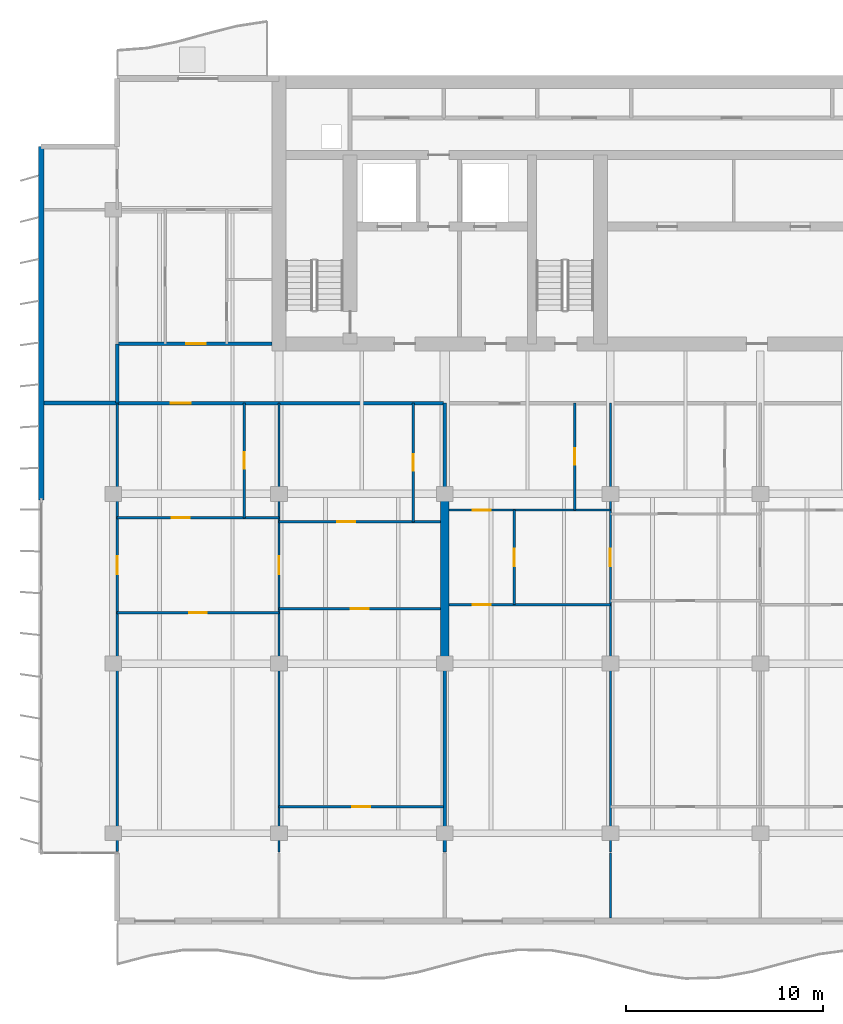
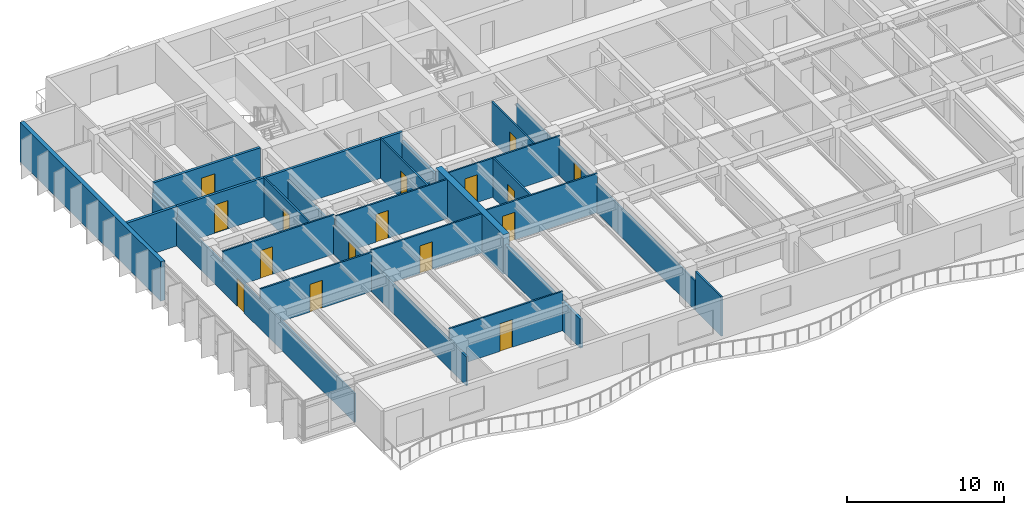
# One storey, part 8 of 17: 23 walls, 16 doors, 16 openings.
"""IFC4 building model written with IfcOpenShell, lengths in metres."""

from ifc_helpers import new_model, si_unit, direction, frame, frame_2d, origin, place, context, subcontext, project, spatial, rectangle, extrude, material, layer, layer_set, type_object, element, fill, save


model = new_model("IFC4")

# Units and contexts
model_context = context("Model", 3, precision=1e-05, world=origin(), true_north=direction((0.0, 1.0)))
body_context = subcontext(model_context, "Body", "Model", "MODEL_VIEW")
ifc_project = project(units=[si_unit("LENGTHUNIT", "METRE"), si_unit("AREAUNIT", "SQUARE_METRE"), si_unit("VOLUMEUNIT", "CUBIC_METRE"), si_unit("PLANEANGLEUNIT", "RADIAN"), si_unit("MASSUNIT", "GRAM", prefix="KILO")], contexts=[model_context])

# Site, building, storey
site_placement = place(None, origin())
site = spatial("IfcSite", under=ifc_project, at=site_placement, CompositionType="ELEMENT")
building_placement = place(site_placement, origin())
building = spatial("IfcBuilding", under=site, at=building_placement, Name="Caelmar Bay Residences", CompositionType="ELEMENT")
storey_placement = place(building_placement, frame((0.0, 0.0, 208.199951171875)))
storey = spatial("IfcBuildingStorey", under=building, at=storey_placement, Name="L58", CompositionType="ELEMENT", Elevation=208.199951171875)

# Walls
ifc_material_1 = material(Name="Concrete f'c 55 MPa (8,000 psi)", Category="concrete")
ifc_layer_1 = layer(ifc_material_1, 0.449951171875)
ifc_layer_set_1 = layer_set([ifc_layer_1], Name="Concrete f'c 55 MPa (8,000 psi)")
wall_type_1 = type_object("IfcWallType", Name="SW-XSLB-450", PredefinedType="SHEAR", material=ifc_layer_set_1)
wall_1_placement = place(storey_placement, frame((26.699951171875, 20.800048828125, 0.0), z_axis=(0.0, 0.0, 1.0), x_axis=(0.0, 1.0, 0.0)))
element("IfcWall", 1, at=wall_1_placement, inside=storey, type_object=wall_type_1, Name="L58 Transverse Cross-Slab Shear Wall W5", PredefinedType="SHEAR", context=body_context, shape_type="SweptSolid", body=[
    extrude(rectangle(XDim=8.599853515625, YDim=0.449951171875, at=frame_2d((4.2998046875, 0.0))), origin(), (0.0, 0.0, 1.0), 3.050048828125),
])
ifc_material_2 = material(Name="Double-stud acoustic fire-rated gypsum partition 180 mm")
ifc_layer_2 = layer(ifc_material_2, 0.179931640625)
ifc_layer_set_2 = layer_set([ifc_layer_2], Name="Double-stud acoustic fire-rated gypsum partition 180 mm")
wall_type_2 = type_object("IfcWallType", Name="W-COR-200", PredefinedType="PARTITIONING", material=ifc_layer_set_2)
wall_2_placement = place(storey_placement, frame((10.10009765625, 34.0048828125, 0.0), z_axis=(0.0, 0.0, 1.0), x_axis=(0.0, 1.0, 0.0)))
element("IfcWall", 2, at=wall_2_placement, inside=storey, type_object=wall_type_2, Name="L58 Partition Wall V002", PredefinedType="PARTITIONING", context=body_context, shape_type="SweptSolid", body=[
    extrude(rectangle(XDim=2.9951171875, YDim=0.179931640625, at=frame_2d((1.49755859375, 0.0))), origin(), (0.0, 0.0, 1.0), 2.262939453125),
])

# Wall, opening, door
wall_3_placement = place(storey_placement, frame((10.10498046875, 34.0, 0.0), z_axis=(0.0, 0.0, 1.0), x_axis=(1.0, 0.0, 0.0)))
wall_3 = element("IfcWall", 3, at=wall_3_placement, inside=storey, type_object=wall_type_2, Name="L58 Partition Wall H069", PredefinedType="PARTITIONING", context=body_context, shape_type="SweptSolid", body=[
    extrude(rectangle(XDim=16.544921875, YDim=0.179931640625, at=frame_2d((8.2724609375, 0.0))), origin(), (0.0, 0.0, 1.0), 3.050048828125),
])
opening_1_placement = place(wall_3_placement, frame((2.71240234375, 0.0, 0.0)))
opening_1 = element("IfcOpeningElement", 4, at=opening_1_placement, cuts=wall_3, Name="Opening D-L58-124", PredefinedType="OPENING", context=body_context, shape_type="SweptSolid", body=[
    extrude(rectangle(XDim=1.0, YDim=2.199951171875, at=frame_2d((0.5, 1.10009765625))), frame((0.0, 0.099853515625, 0.0), z_axis=(0.0, -1.0, 0.0), x_axis=(1.0, 0.0, 0.0)), (0.0, 0.0, 1.0), 0.199951171875),
])
ifc_material_3 = material(Name="Fire-rated steel and walnut architectural door assembly", Category="steel")
ifc_layer_3 = layer(ifc_material_3, 0.050048828125)
ifc_layer_set_3 = layer_set([ifc_layer_3], Name="Fire-rated steel and walnut architectural door assembly")
door_type_1 = type_object("IfcDoorType", Name="D-UNIT-1000", OperationType="NOTDEFINED", PredefinedType="DOOR", material=ifc_layer_set_3)
door_1_placement = place(opening_1_placement, origin())
door_1 = element("IfcDoor", 5, at=door_1_placement, inside=storey, type_object=door_type_1, Name="L58 Residence 01 Apartment Hall Door", OperationType="SINGLE_SWING_LEFT", OverallHeight=2.199951171875, OverallWidth=1.0, PredefinedType="DOOR", context=body_context, shape_type="SweptSolid", body=[
    extrude(rectangle(XDim=1.0, YDim=2.199951171875, at=frame_2d((0.5, 1.10009765625))), frame((0.0, 0.02490234375, 0.0), z_axis=(0.0, -1.0, 0.0), x_axis=(1.0, 0.0, 0.0)), (0.0, 0.0, 1.0), 0.050048828125),
])
fill(opening_1, door_1)

wall_4_placement = place(storey_placement, frame((10.10009765625, 37.0, 0.0), z_axis=(0.0, 0.0, 1.0), x_axis=(1.0, 0.0, 0.0)))
wall_4 = element("IfcWall", 6, at=wall_4_placement, inside=storey, type_object=wall_type_2, Name="L58 Partition Wall H072", PredefinedType="PARTITIONING", context=body_context, shape_type="SweptSolid", body=[
    extrude(rectangle(XDim=7.844970703125, YDim=0.179931640625, at=frame_2d((3.92236328125, 0.0))), origin(), (0.0, 0.0, 1.0), 3.050048828125),
])
opening_2_placement = place(wall_4_placement, frame((3.49609375, 0.0, 0.0)))
opening_2 = element("IfcOpeningElement", 7, at=opening_2_placement, cuts=wall_4, Name="Opening D-L58-161", PredefinedType="OPENING", context=body_context, shape_type="SweptSolid", body=[
    extrude(rectangle(XDim=1.0, YDim=2.199951171875, at=frame_2d((0.5, 1.10009765625))), frame((0.0, 0.099853515625, 0.0), z_axis=(0.0, -1.0, 0.0), x_axis=(1.0, 0.0, 0.0)), (0.0, 0.0, 1.0), 0.199951171875),
])
door_2_placement = place(opening_2_placement, origin())
door_2 = element("IfcDoor", 8, at=door_2_placement, inside=storey, type_object=door_type_1, Name="L58 Residence WA Kitchen Door", OperationType="SINGLE_SWING_RIGHT", OverallHeight=2.199951171875, OverallWidth=1.0, PredefinedType="DOOR", context=body_context, shape_type="SweptSolid", body=[
    extrude(rectangle(XDim=1.0, YDim=2.199951171875, at=frame_2d((0.5, 1.10009765625))), frame((0.0, 0.02490234375, 0.0), z_axis=(0.0, -1.0, 0.0), x_axis=(1.0, 0.0, 0.0)), (0.0, 0.0, 1.0), 0.050048828125),
])
fill(opening_2, door_2)

# Wall
ifc_material_4 = material(Name="Precast concrete f'c 40 MPa (6,000 psi)", Category="concrete")
ifc_layer_4 = layer(ifc_material_4, 0.300048828125)
ifc_layer_set_4 = layer_set([ifc_layer_4], Name="Precast concrete f'c 40 MPa (6,000 psi)")
wall_type_3 = type_object("IfcWallType", Name="W-EXT-300", PredefinedType="STANDARD", material=ifc_layer_set_4)
wall_5_placement = place(storey_placement, frame((6.25, 29.10009765625, 0.0), z_axis=(0.0, 0.0, 1.0), x_axis=(0.0, 1.0, 0.0)))
element("IfcWall", 9, at=wall_5_placement, inside=storey, type_object=wall_type_3, Name="L58 West Rear Exterior Wall", PredefinedType="STANDARD", context=body_context, shape_type="SweptSolid", body=[
    extrude(rectangle(XDim=17.89990234375, YDim=0.300048828125, at=frame_2d((8.949951171875, 0.0))), origin(), (0.0, 0.0, 1.0), 3.050048828125),
])

# Wall, opening, door
ifc_material_5 = material(Name="Acoustic metal-stud gypsum partition 120 mm")
ifc_layer_5 = layer(ifc_material_5, 0.1201171875)
ifc_layer_set_5 = layer_set([ifc_layer_5], Name="Acoustic metal-stud gypsum partition 120 mm")
wall_type_4 = type_object("IfcWallType", Name="W-PRT-120", PredefinedType="PARTITIONING", material=ifc_layer_set_5)
wall_6_placement = place(storey_placement, frame((10.10009765625, 11.284912109375, 0.0), z_axis=(0.0, 0.0, 1.0), x_axis=(0.0, 1.0, 0.0)))
wall_6 = element("IfcWall", 10, at=wall_6_placement, inside=storey, type_object=wall_type_4, Name="L58 Partition Wall V001", PredefinedType="PARTITIONING", context=body_context, shape_type="SweptSolid", body=[
    extrude(rectangle(XDim=22.715087890625, YDim=0.1201171875, at=frame_2d((11.357421875, 0.0))), origin(), (0.0, 0.0, 1.0), 2.262939453125),
])
opening_3_placement = place(wall_6_placement, frame((14.044921875, 0.0, 0.0)))
opening_3 = element("IfcOpeningElement", 11, at=opening_3_placement, cuts=wall_6, Name="Opening D-L58-158", PredefinedType="OPENING", context=body_context, shape_type="SweptSolid", body=[
    extrude(rectangle(XDim=0.89990234375, YDim=2.14990234375, at=frame_2d((0.449951171875, 1.074951171875))), frame((0.0, 0.070068359375, 0.0), z_axis=(0.0, -1.0, 0.0), x_axis=(1.0, 0.0, 0.0)), (0.0, 0.0, 1.0), 0.14013671875),
])
ifc_material_6 = material(Name="Solid walnut timber interior door leaf and frame", Category="wood")
ifc_layer_6 = layer(ifc_material_6, 0.050048828125)
ifc_layer_set_6 = layer_set([ifc_layer_6], Name="Solid walnut timber interior door leaf and frame")
door_type_2 = type_object("IfcDoorType", Name="D-ROOM-900", OperationType="NOTDEFINED", PredefinedType="DOOR", material=ifc_layer_set_6)
door_3_placement = place(opening_3_placement, origin())
door_3 = element("IfcDoor", 12, at=door_3_placement, inside=storey, type_object=door_type_2, Name="L58 Residence 01 Penthouse West Salon Door", OperationType="SINGLE_SWING_LEFT", OverallHeight=2.14990234375, OverallWidth=0.89990234375, PredefinedType="DOOR", context=body_context, shape_type="SweptSolid", body=[
    extrude(rectangle(XDim=0.89990234375, YDim=2.14990234375, at=frame_2d((0.449951171875, 1.074951171875))), frame((0.0, 0.02490234375, 0.0), z_axis=(0.0, -1.0, 0.0), x_axis=(1.0, 0.0, 0.0)), (0.0, 0.0, 1.0), 0.050048828125),
])
fill(opening_3, door_3)

wall_7_placement = place(storey_placement, frame((16.530029296875, 28.179931640625, 0.0), z_axis=(0.0, 0.0, 1.0), x_axis=(0.0, 1.0, 0.0)))
wall_7 = element("IfcWall", 13, at=wall_7_placement, inside=storey, type_object=wall_type_4, Name="L58 Partition Wall V007", PredefinedType="PARTITIONING", context=body_context, shape_type="SweptSolid", body=[
    extrude(rectangle(XDim=5.820068359375, YDim=0.1201171875, at=frame_2d((2.91015625, 0.0))), origin(), (0.0, 0.0, 1.0), 3.050048828125),
])
opening_4_placement = place(wall_7_placement, frame((2.485107421875, 0.0, 0.0)))
opening_4 = element("IfcOpeningElement", 14, at=opening_4_placement, cuts=wall_7, Name="Opening D-L58-125", PredefinedType="OPENING", context=body_context, shape_type="SweptSolid", body=[
    extrude(rectangle(XDim=0.85009765625, YDim=2.10009765625, at=frame_2d((0.425048828125, 1.050048828125))), frame((0.0, 0.070068359375, 0.0), z_axis=(0.0, -1.0, 0.0), x_axis=(1.0, 0.0, 0.0)), (0.0, 0.0, 1.0), 0.14013671875),
])
ifc_layer_7 = layer(ifc_material_6, 0.050048828125)
ifc_layer_set_7 = layer_set([ifc_layer_7], Name="Solid walnut timber interior door leaf and frame")
door_type_3 = type_object("IfcDoorType", Name="D-BATH-850", OperationType="NOTDEFINED", PredefinedType="DOOR", material=ifc_layer_set_7)
door_4_placement = place(opening_4_placement, origin())
door_4 = element("IfcDoor", 15, at=door_4_placement, inside=storey, type_object=door_type_3, Name="L58 Residence 01 Guest Bathroom Door", OperationType="SINGLE_SWING_RIGHT", OverallHeight=2.10009765625, OverallWidth=0.85009765625, PredefinedType="DOOR", context=body_context, shape_type="SweptSolid", body=[
    extrude(rectangle(XDim=0.85009765625, YDim=2.10009765625, at=frame_2d((0.425048828125, 1.050048828125))), frame((0.0, 0.02490234375, 0.0), z_axis=(0.0, -1.0, 0.0), x_axis=(1.0, 0.0, 0.0)), (0.0, 0.0, 1.0), 0.050048828125),
])
fill(opening_4, door_4)

wall_8_placement = place(storey_placement, frame((18.300048828125, 11.239990234375, 0.0), z_axis=(0.0, 0.0, 1.0), x_axis=(0.0, 1.0, 0.0)))
wall_8 = element("IfcWall", 16, at=wall_8_placement, inside=storey, type_object=wall_type_4, Name="L58 Partition Wall V009", PredefinedType="PARTITIONING", context=body_context, shape_type="SweptSolid", body=[
    extrude(rectangle(XDim=22.760009765625, YDim=0.1201171875, at=frame_2d((11.3798828125, 0.0))), origin(), (0.0, 0.0, 1.0), 2.262939453125),
])
opening_5_placement = place(wall_8_placement, frame((14.090087890625, 0.0, 0.0)))
opening_5 = element("IfcOpeningElement", 17, at=opening_5_placement, cuts=wall_8, Name="Opening D-L58-128", PredefinedType="OPENING", context=body_context, shape_type="SweptSolid", body=[
    extrude(rectangle(XDim=0.89990234375, YDim=2.14990234375, at=frame_2d((0.449951171875, 1.074951171875))), frame((0.0, 0.070068359375, 0.0), z_axis=(0.0, -1.0, 0.0), x_axis=(1.0, 0.0, 0.0)), (0.0, 0.0, 1.0), 0.14013671875),
])
door_5_placement = place(opening_5_placement, origin())
door_5 = element("IfcDoor", 18, at=door_5_placement, inside=storey, type_object=door_type_2, Name="L58 Residence 01 Reception Lounge 1 Door", OperationType="SINGLE_SWING_LEFT", OverallHeight=2.14990234375, OverallWidth=0.89990234375, PredefinedType="DOOR", context=body_context, shape_type="SweptSolid", body=[
    extrude(rectangle(XDim=0.89990234375, YDim=2.14990234375, at=frame_2d((0.449951171875, 1.074951171875))), frame((0.0, 0.02490234375, 0.0), z_axis=(0.0, -1.0, 0.0), x_axis=(1.0, 0.0, 0.0)), (0.0, 0.0, 1.0), 0.050048828125),
])
fill(opening_5, door_5)

wall_9_placement = place(storey_placement, frame((25.10498046875, 27.97998046875, 0.0), z_axis=(0.0, 0.0, 1.0), x_axis=(0.0, 1.0, 0.0)))
wall_9 = element("IfcWall", 19, at=wall_9_placement, inside=storey, type_object=wall_type_4, Name="L58 Partition Wall V011", PredefinedType="PARTITIONING", context=body_context, shape_type="SweptSolid", body=[
    extrude(rectangle(XDim=6.02001953125, YDim=0.1201171875, at=frame_2d((3.010009765625, 0.0))), origin(), (0.0, 0.0, 1.0), 3.050048828125),
])
opening_6_placement = place(wall_9_placement, frame((2.5849609375, 0.0, 0.0)))
opening_6 = element("IfcOpeningElement", 20, at=opening_6_placement, cuts=wall_9, Name="Opening D-L58-130", PredefinedType="OPENING", context=body_context, shape_type="SweptSolid", body=[
    extrude(rectangle(XDim=0.85009765625, YDim=2.10009765625, at=frame_2d((0.425048828125, 1.050048828125))), frame((0.0, 0.070068359375, 0.0), z_axis=(0.0, -1.0, 0.0), x_axis=(1.0, 0.0, 0.0)), (0.0, 0.0, 1.0), 0.14013671875),
])
door_6_placement = place(opening_6_placement, origin())
door_6 = element("IfcDoor", 21, at=door_6_placement, inside=storey, type_object=door_type_3, Name="L58 Residence 01 En-Suite Bathroom 1 Door", OperationType="SINGLE_SWING_LEFT", OverallHeight=2.10009765625, OverallWidth=0.85009765625, PredefinedType="DOOR", context=body_context, shape_type="SweptSolid", body=[
    extrude(rectangle(XDim=0.85009765625, YDim=2.10009765625, at=frame_2d((0.425048828125, 1.050048828125))), frame((0.0, 0.02490234375, 0.0), z_axis=(0.0, -1.0, 0.0), x_axis=(1.0, 0.0, 0.0)), (0.0, 0.0, 1.0), 0.050048828125),
])
fill(opening_6, door_6)

wall_10_placement = place(storey_placement, frame((30.22802734375, 23.780029296875, 0.0), z_axis=(0.0, 0.0, 1.0), x_axis=(0.0, 1.0, 0.0)))
wall_10 = element("IfcWall", 22, at=wall_10_placement, inside=storey, type_object=wall_type_4, Name="L58 Partition Wall V019", PredefinedType="PARTITIONING", context=body_context, shape_type="SweptSolid", body=[
    extrude(rectangle(XDim=4.800048828125, YDim=0.1201171875, at=frame_2d((2.39990234375, 0.0))), origin(), (0.0, 0.0, 1.0), 3.050048828125),
])
opening_7_placement = place(wall_10_placement, frame((1.949951171875, 0.0, 0.0)))
opening_7 = element("IfcOpeningElement", 23, at=opening_7_placement, cuts=wall_10, Name="Opening D-L58-136", PredefinedType="OPENING", context=body_context, shape_type="SweptSolid", body=[
    extrude(rectangle(XDim=0.89990234375, YDim=2.14990234375, at=frame_2d((0.449951171875, 1.074951171875))), frame((0.0, 0.070068359375, 0.0), z_axis=(0.0, -1.0, 0.0), x_axis=(1.0, 0.0, 0.0)), (0.0, 0.0, 1.0), 0.14013671875),
])
door_7_placement = place(opening_7_placement, origin())
door_7 = element("IfcDoor", 24, at=door_7_placement, inside=storey, type_object=door_type_2, Name="L58 Residence 02 Kitchen Door", OperationType="SINGLE_SWING_LEFT", OverallHeight=2.14990234375, OverallWidth=0.89990234375, PredefinedType="DOOR", context=body_context, shape_type="SweptSolid", body=[
    extrude(rectangle(XDim=0.89990234375, YDim=2.14990234375, at=frame_2d((0.449951171875, 1.074951171875))), frame((0.0, 0.02490234375, 0.0), z_axis=(0.0, -1.0, 0.0), x_axis=(1.0, 0.0, 0.0)), (0.0, 0.0, 1.0), 0.050048828125),
])
fill(opening_7, door_7)

wall_11_placement = place(storey_placement, frame((33.2919921875, 28.580078125, 0.0), z_axis=(0.0, 0.0, 1.0), x_axis=(0.0, 1.0, 0.0)))
wall_11 = element("IfcWall", 25, at=wall_11_placement, inside=storey, type_object=wall_type_4, Name="L58 Partition Wall V021", PredefinedType="PARTITIONING", context=body_context, shape_type="SweptSolid", body=[
    extrude(rectangle(XDim=5.419921875, YDim=0.1201171875, at=frame_2d((2.7099609375, 0.0))), origin(), (0.0, 0.0, 1.0), 3.050048828125),
])
opening_8_placement = place(wall_11_placement, frame((2.284912109375, 0.0, 0.0)))
opening_8 = element("IfcOpeningElement", 26, at=opening_8_placement, cuts=wall_11, Name="Opening D-L58-134", PredefinedType="OPENING", context=body_context, shape_type="SweptSolid", body=[
    extrude(rectangle(XDim=0.85009765625, YDim=2.10009765625, at=frame_2d((0.425048828125, 1.050048828125))), frame((0.0, 0.070068359375, 0.0), z_axis=(0.0, -1.0, 0.0), x_axis=(1.0, 0.0, 0.0)), (0.0, 0.0, 1.0), 0.14013671875),
])
door_8_placement = place(opening_8_placement, origin())
door_8 = element("IfcDoor", 27, at=door_8_placement, inside=storey, type_object=door_type_3, Name="L58 Residence 02 Guest Bathroom Door", OperationType="SINGLE_SWING_LEFT", OverallHeight=2.10009765625, OverallWidth=0.85009765625, PredefinedType="DOOR", context=body_context, shape_type="SweptSolid", body=[
    extrude(rectangle(XDim=0.85009765625, YDim=2.10009765625, at=frame_2d((0.425048828125, 1.050048828125))), frame((0.0, 0.02490234375, 0.0), z_axis=(0.0, -1.0, 0.0), x_axis=(1.0, 0.0, 0.0)), (0.0, 0.0, 1.0), 0.050048828125),
])
fill(opening_8, door_8)

# Wall
wall_12_placement = place(storey_placement, frame((35.10009765625, 7.89501953125, 0.0), z_axis=(0.0, 0.0, 1.0), x_axis=(0.0, 1.0, 0.0)))
element("IfcWall", 28, at=wall_12_placement, inside=storey, type_object=wall_type_4, Name="L58 Partition Wall V022", PredefinedType="PARTITIONING", context=body_context, shape_type="SweptSolid", body=[
    extrude(rectangle(XDim=3.304931640625, YDim=0.1201171875, at=frame_2d((1.65234375, 0.0))), origin(), (0.0, 0.0, 1.0), 3.050048828125),
])

# Wall, opening, door
wall_13_placement = place(storey_placement, frame((35.10009765625, 11.239990234375, 0.0), z_axis=(0.0, 0.0, 1.0), x_axis=(0.0, 1.0, 0.0)))
wall_13 = element("IfcWall", 29, at=wall_13_placement, inside=storey, type_object=wall_type_4, Name="L58 Partition Wall V023", PredefinedType="PARTITIONING", context=body_context, shape_type="SweptSolid", body=[
    extrude(rectangle(XDim=22.760009765625, YDim=0.1201171875, at=frame_2d((11.3798828125, 0.0))), origin(), (0.0, 0.0, 1.0), 2.262939453125),
])
opening_9_placement = place(wall_13_placement, frame((14.489990234375, 0.0, 0.0)))
opening_9 = element("IfcOpeningElement", 30, at=opening_9_placement, cuts=wall_13, Name="Opening D-L58-138", PredefinedType="OPENING", context=body_context, shape_type="SweptSolid", body=[
    extrude(rectangle(XDim=0.89990234375, YDim=2.14990234375, at=frame_2d((0.449951171875, 1.074951171875))), frame((0.0, 0.070068359375, 0.0), z_axis=(0.0, -1.0, 0.0), x_axis=(1.0, 0.0, 0.0)), (0.0, 0.0, 1.0), 0.14013671875),
])
door_9_placement = place(opening_9_placement, origin())
door_9 = element("IfcDoor", 31, at=door_9_placement, inside=storey, type_object=door_type_2, Name="L58 Residence 02 Reception Lounge 1 Door", OperationType="SINGLE_SWING_LEFT", OverallHeight=2.14990234375, OverallWidth=0.89990234375, PredefinedType="DOOR", context=body_context, shape_type="SweptSolid", body=[
    extrude(rectangle(XDim=0.89990234375, YDim=2.14990234375, at=frame_2d((0.449951171875, 1.074951171875))), frame((0.0, 0.02490234375, 0.0), z_axis=(0.0, -1.0, 0.0), x_axis=(1.0, 0.0, 0.0)), (0.0, 0.0, 1.0), 0.050048828125),
])
fill(opening_9, door_9)

wall_14_placement = place(storey_placement, frame((18.300048828125, 13.550048828125, 0.0), z_axis=(0.0, 0.0, 1.0), x_axis=(1.0, 0.0, 0.0)))
wall_14 = element("IfcWall", 32, at=wall_14_placement, inside=storey, type_object=wall_type_4, Name="L58 Partition Wall H051", PredefinedType="PARTITIONING", context=body_context, shape_type="SweptSolid", body=[
    extrude(rectangle(XDim=8.349853515625, YDim=0.1201171875, at=frame_2d((4.1748046875, 0.0))), origin(), (0.0, 0.0, 1.0), 3.050048828125),
])
opening_10_placement = place(wall_14_placement, frame((3.72509765625, 0.0, 0.0)))
opening_10 = element("IfcOpeningElement", 33, at=opening_10_placement, cuts=wall_14, Name="Opening D-L58-132", PredefinedType="OPENING", context=body_context, shape_type="SweptSolid", body=[
    extrude(rectangle(XDim=0.89990234375, YDim=2.14990234375, at=frame_2d((0.449951171875, 1.074951171875))), frame((0.0, 0.070068359375, 0.0), z_axis=(0.0, -1.0, 0.0), x_axis=(1.0, 0.0, 0.0)), (0.0, 0.0, 1.0), 0.14013671875),
])
door_10_placement = place(opening_10_placement, origin())
door_10 = element("IfcDoor", 34, at=door_10_placement, inside=storey, type_object=door_type_2, Name="L58 Residence 01 Primary Bedroom 1 Door", OperationType="SINGLE_SWING_LEFT", OverallHeight=2.14990234375, OverallWidth=0.89990234375, PredefinedType="DOOR", context=body_context, shape_type="SweptSolid", body=[
    extrude(rectangle(XDim=0.89990234375, YDim=2.14990234375, at=frame_2d((0.449951171875, 1.074951171875))), frame((0.0, 0.02490234375, 0.0), z_axis=(0.0, -1.0, 0.0), x_axis=(1.0, 0.0, 0.0)), (0.0, 0.0, 1.0), 0.050048828125),
])
fill(opening_10, door_10)

wall_15_placement = place(storey_placement, frame((10.10009765625, 23.3798828125, 0.0), z_axis=(0.0, 0.0, 1.0), x_axis=(1.0, 0.0, 0.0)))
wall_15 = element("IfcWall", 35, at=wall_15_placement, inside=storey, type_object=wall_type_4, Name="L58 Partition Wall H054", PredefinedType="PARTITIONING", context=body_context, shape_type="SweptSolid", body=[
    extrude(rectangle(XDim=8.199951171875, YDim=0.1201171875, at=frame_2d((4.10009765625, 0.0))), origin(), (0.0, 0.0, 1.0), 3.050048828125),
])
opening_11_placement = place(wall_15_placement, frame((3.64990234375, 0.0, 0.0)))
opening_11 = element("IfcOpeningElement", 36, at=opening_11_placement, cuts=wall_15, Name="Opening D-L58-127", PredefinedType="OPENING", context=body_context, shape_type="SweptSolid", body=[
    extrude(rectangle(XDim=0.89990234375, YDim=2.14990234375, at=frame_2d((0.449951171875, 1.074951171875))), frame((0.0, 0.070068359375, 0.0), z_axis=(0.0, -1.0, 0.0), x_axis=(1.0, 0.0, 0.0)), (0.0, 0.0, 1.0), 0.14013671875),
])
door_11_placement = place(opening_11_placement, origin())
door_11 = element("IfcDoor", 37, at=door_11_placement, inside=storey, type_object=door_type_2, Name="L58 Residence 01 Penthouse Living Salon Door", OperationType="SINGLE_SWING_RIGHT", OverallHeight=2.14990234375, OverallWidth=0.89990234375, PredefinedType="DOOR", context=body_context, shape_type="SweptSolid", body=[
    extrude(rectangle(XDim=0.89990234375, YDim=2.14990234375, at=frame_2d((0.449951171875, 1.074951171875))), frame((0.0, 0.02490234375, 0.0), z_axis=(0.0, -1.0, 0.0), x_axis=(1.0, 0.0, 0.0)), (0.0, 0.0, 1.0), 0.050048828125),
])
fill(opening_11, door_11)

wall_16_placement = place(storey_placement, frame((18.304931640625, 23.580078125, 0.0), z_axis=(0.0, 0.0, 1.0), x_axis=(1.0, 0.0, 0.0)))
wall_16 = element("IfcWall", 38, at=wall_16_placement, inside=storey, type_object=wall_type_4, Name="L58 Partition Wall H056", PredefinedType="PARTITIONING", context=body_context, shape_type="SweptSolid", body=[
    extrude(rectangle(XDim=8.175048828125, YDim=0.1201171875, at=frame_2d((4.08740234375, 0.0))), origin(), (0.0, 0.0, 1.0), 3.050048828125),
])
opening_12_placement = place(wall_16_placement, frame((3.637451171875, 0.0, 0.0)))
opening_12 = element("IfcOpeningElement", 39, at=opening_12_placement, cuts=wall_16, Name="Opening D-L58-131", PredefinedType="OPENING", context=body_context, shape_type="SweptSolid", body=[
    extrude(rectangle(XDim=0.89990234375, YDim=2.14990234375, at=frame_2d((0.449951171875, 1.074951171875))), frame((0.0, 0.070068359375, 0.0), z_axis=(0.0, -1.0, 0.0), x_axis=(1.0, 0.0, 0.0)), (0.0, 0.0, 1.0), 0.14013671875),
])
door_12_placement = place(opening_12_placement, origin())
door_12 = element("IfcDoor", 40, at=door_12_placement, inside=storey, type_object=door_type_2, Name="L58 Residence 01 Penthouse Sitting Salon 1 Door", OperationType="SINGLE_SWING_RIGHT", OverallHeight=2.14990234375, OverallWidth=0.89990234375, PredefinedType="DOOR", context=body_context, shape_type="SweptSolid", body=[
    extrude(rectangle(XDim=0.89990234375, YDim=2.14990234375, at=frame_2d((0.449951171875, 1.074951171875))), frame((0.0, 0.02490234375, 0.0), z_axis=(0.0, -1.0, 0.0), x_axis=(1.0, 0.0, 0.0)), (0.0, 0.0, 1.0), 0.050048828125),
])
fill(opening_12, door_12)

wall_17_placement = place(storey_placement, frame((26.919921875, 23.780029296875, 0.0), z_axis=(0.0, 0.0, 1.0), x_axis=(1.0, 0.0, 0.0)))
wall_17 = element("IfcWall", 41, at=wall_17_placement, inside=storey, type_object=wall_type_4, Name="L58 Partition Wall H058", PredefinedType="PARTITIONING", context=body_context, shape_type="SweptSolid", body=[
    extrude(rectangle(XDim=8.18017578125, YDim=0.1201171875, at=frame_2d((4.090087890625, 0.0))), origin(), (0.0, 0.0, 1.0), 3.050048828125),
])
opening_13_placement = place(wall_17_placement, frame((1.2041015625, 0.0, 0.0)))
opening_13 = element("IfcOpeningElement", 42, at=opening_13_placement, cuts=wall_17, Name="Opening D-L58-137", PredefinedType="OPENING", context=body_context, shape_type="SweptSolid", body=[
    extrude(rectangle(XDim=0.89990234375, YDim=2.14990234375, at=frame_2d((0.449951171875, 1.074951171875))), frame((0.0, 0.070068359375, 0.0), z_axis=(0.0, -1.0, 0.0), x_axis=(1.0, 0.0, 0.0)), (0.0, 0.0, 1.0), 0.14013671875),
])
door_13_placement = place(opening_13_placement, origin())
door_13 = element("IfcDoor", 43, at=door_13_placement, inside=storey, type_object=door_type_2, Name="L58 Residence 02 Penthouse Living Salon Door", OperationType="SINGLE_SWING_RIGHT", OverallHeight=2.14990234375, OverallWidth=0.89990234375, PredefinedType="DOOR", context=body_context, shape_type="SweptSolid", body=[
    extrude(rectangle(XDim=0.89990234375, YDim=2.14990234375, at=frame_2d((0.449951171875, 1.074951171875))), frame((0.0, 0.02490234375, 0.0), z_axis=(0.0, -1.0, 0.0), x_axis=(1.0, 0.0, 0.0)), (0.0, 0.0, 1.0), 0.050048828125),
])
fill(opening_13, door_13)

wall_18_placement = place(storey_placement, frame((18.300048828125, 27.97998046875, 0.0), z_axis=(0.0, 0.0, 1.0), x_axis=(1.0, 0.0, 0.0)))
wall_18 = element("IfcWall", 44, at=wall_18_placement, inside=storey, type_object=wall_type_4, Name="L58 Partition Wall H061", PredefinedType="PARTITIONING", context=body_context, shape_type="SweptSolid", body=[
    extrude(rectangle(XDim=8.179931640625, YDim=0.1201171875, at=frame_2d((4.08984375, 0.0))), origin(), (0.0, 0.0, 1.0), 3.050048828125),
])
opening_14_placement = place(wall_18_placement, frame((2.952392578125, 0.0, 0.0)))
opening_14 = element("IfcOpeningElement", 45, at=opening_14_placement, cuts=wall_18, Name="Opening D-L58-129", PredefinedType="OPENING", context=body_context, shape_type="SweptSolid", body=[
    extrude(rectangle(XDim=0.89990234375, YDim=2.14990234375, at=frame_2d((0.449951171875, 1.074951171875))), frame((0.0, 0.070068359375, 0.0), z_axis=(0.0, -1.0, 0.0), x_axis=(1.0, 0.0, 0.0)), (0.0, 0.0, 1.0), 0.14013671875),
])
door_14_placement = place(opening_14_placement, origin())
door_14 = element("IfcDoor", 46, at=door_14_placement, inside=storey, type_object=door_type_2, Name="L58 Residence 01 Private Reception Room 1 Door", OperationType="SINGLE_SWING_RIGHT", OverallHeight=2.14990234375, OverallWidth=0.89990234375, PredefinedType="DOOR", context=body_context, shape_type="SweptSolid", body=[
    extrude(rectangle(XDim=0.89990234375, YDim=2.14990234375, at=frame_2d((0.449951171875, 1.074951171875))), frame((0.0, 0.02490234375, 0.0), z_axis=(0.0, -1.0, 0.0), x_axis=(1.0, 0.0, 0.0)), (0.0, 0.0, 1.0), 0.050048828125),
])
fill(opening_14, door_14)

wall_19_placement = place(storey_placement, frame((10.10009765625, 28.179931640625, 0.0), z_axis=(0.0, 0.0, 1.0), x_axis=(1.0, 0.0, 0.0)))
wall_19 = element("IfcWall", 47, at=wall_19_placement, inside=storey, type_object=wall_type_4, Name="L58 Partition Wall H063", PredefinedType="PARTITIONING", context=body_context, shape_type="SweptSolid", body=[
    extrude(rectangle(XDim=8.19482421875, YDim=0.1201171875, at=frame_2d((4.097412109375, 0.0))), origin(), (0.0, 0.0, 1.0), 3.050048828125),
])
opening_15_placement = place(wall_19_placement, frame((2.764892578125, 0.0, 0.0)))
opening_15 = element("IfcOpeningElement", 48, at=opening_15_placement, cuts=wall_19, Name="Opening D-L58-126", PredefinedType="OPENING", context=body_context, shape_type="SweptSolid", body=[
    extrude(rectangle(XDim=0.89990234375, YDim=2.14990234375, at=frame_2d((0.449951171875, 1.074951171875))), frame((0.0, 0.070068359375, 0.0), z_axis=(0.0, -1.0, 0.0), x_axis=(1.0, 0.0, 0.0)), (0.0, 0.0, 1.0), 0.14013671875),
])
door_15_placement = place(opening_15_placement, origin())
door_15 = element("IfcDoor", 49, at=door_15_placement, inside=storey, type_object=door_type_2, Name="L58 Residence 01 Kitchen Door", OperationType="SINGLE_SWING_LEFT", OverallHeight=2.14990234375, OverallWidth=0.89990234375, PredefinedType="DOOR", context=body_context, shape_type="SweptSolid", body=[
    extrude(rectangle(XDim=0.89990234375, YDim=2.14990234375, at=frame_2d((0.449951171875, 1.074951171875))), frame((0.0, 0.02490234375, 0.0), z_axis=(0.0, -1.0, 0.0), x_axis=(1.0, 0.0, 0.0)), (0.0, 0.0, 1.0), 0.050048828125),
])
fill(opening_15, door_15)

wall_20_placement = place(storey_placement, frame((26.919921875, 28.580078125, 0.0), z_axis=(0.0, 0.0, 1.0), x_axis=(1.0, 0.0, 0.0)))
wall_20 = element("IfcWall", 50, at=wall_20_placement, inside=storey, type_object=wall_type_4, Name="L58 Partition Wall H066", PredefinedType="PARTITIONING", context=body_context, shape_type="SweptSolid", body=[
    extrude(rectangle(XDim=8.175048828125, YDim=0.1201171875, at=frame_2d((4.08740234375, 0.0))), origin(), (0.0, 0.0, 1.0), 3.050048828125),
])
opening_16_placement = place(wall_20_placement, frame((1.2041015625, 0.0, 0.0)))
opening_16 = element("IfcOpeningElement", 51, at=opening_16_placement, cuts=wall_20, Name="Opening D-L58-135", PredefinedType="OPENING", context=body_context, shape_type="SweptSolid", body=[
    extrude(rectangle(XDim=0.89990234375, YDim=2.14990234375, at=frame_2d((0.449951171875, 1.074951171875))), frame((0.0, 0.070068359375, 0.0), z_axis=(0.0, -1.0, 0.0), x_axis=(1.0, 0.0, 0.0)), (0.0, 0.0, 1.0), 0.14013671875),
])
door_16_placement = place(opening_16_placement, origin())
door_16 = element("IfcDoor", 52, at=door_16_placement, inside=storey, type_object=door_type_2, Name="L58 Residence 02 Dining Room Door", OperationType="SINGLE_SWING_RIGHT", OverallHeight=2.14990234375, OverallWidth=0.89990234375, PredefinedType="DOOR", context=body_context, shape_type="SweptSolid", body=[
    extrude(rectangle(XDim=0.89990234375, YDim=2.14990234375, at=frame_2d((0.449951171875, 1.074951171875))), frame((0.0, 0.02490234375, 0.0), z_axis=(0.0, -1.0, 0.0), x_axis=(1.0, 0.0, 0.0)), (0.0, 0.0, 1.0), 0.050048828125),
])
fill(opening_16, door_16)

# Walls
ifc_material_7 = material(Name="Acoustic twin-stud fire-rated inter-tenancy partition 200 mm")
ifc_layer_8 = layer(ifc_material_7, 0.199951171875)
ifc_layer_set_8 = layer_set([ifc_layer_8], Name="Acoustic twin-stud fire-rated inter-tenancy partition 200 mm")
wall_type_5 = type_object("IfcWallType", Name="W-PTY-200", PredefinedType="PARTITIONING", material=ifc_layer_set_8)
wall_21_placement = place(storey_placement, frame((26.699951171875, 11.239990234375, 0.0), z_axis=(0.0, 0.0, 1.0), x_axis=(0.0, 1.0, 0.0)))
element("IfcWall", 53, at=wall_21_placement, inside=storey, type_object=wall_type_5, Name="L58 Partition Wall V015", PredefinedType="PARTITIONING", context=body_context, shape_type="SweptSolid", body=[
    extrude(rectangle(XDim=9.554931640625, YDim=0.199951171875, at=frame_2d((4.77734375, 0.0))), origin(), (0.0, 0.0, 1.0), 2.262939453125),
])
wall_22_placement = place(storey_placement, frame((26.699951171875, 29.405029296875, 0.0), z_axis=(0.0, 0.0, 1.0), x_axis=(0.0, 1.0, 0.0)))
element("IfcWall", 54, at=wall_22_placement, inside=storey, type_object=wall_type_5, Name="L58 Partition Wall V016", PredefinedType="PARTITIONING", context=body_context, shape_type="SweptSolid", body=[
    extrude(rectangle(XDim=4.594970703125, YDim=0.199951171875, at=frame_2d((2.29736328125, 0.0))), origin(), (0.0, 0.0, 1.0), 2.3349609375),
])
wall_23_placement = place(storey_placement, frame((6.39501953125, 34.0, 0.0), z_axis=(0.0, 0.0, 1.0), x_axis=(1.0, 0.0, 0.0)))
element("IfcWall", 55, at=wall_23_placement, inside=storey, type_object=wall_type_5, Name="L58 Partition Wall H068", PredefinedType="PARTITIONING", context=body_context, shape_type="SweptSolid", body=[
    extrude(rectangle(XDim=3.705078125, YDim=0.199951171875, at=frame_2d((1.8525390625, 0.0))), origin(), (0.0, 0.0, 1.0), 3.050048828125),
])

save(model, "model.ifc")
